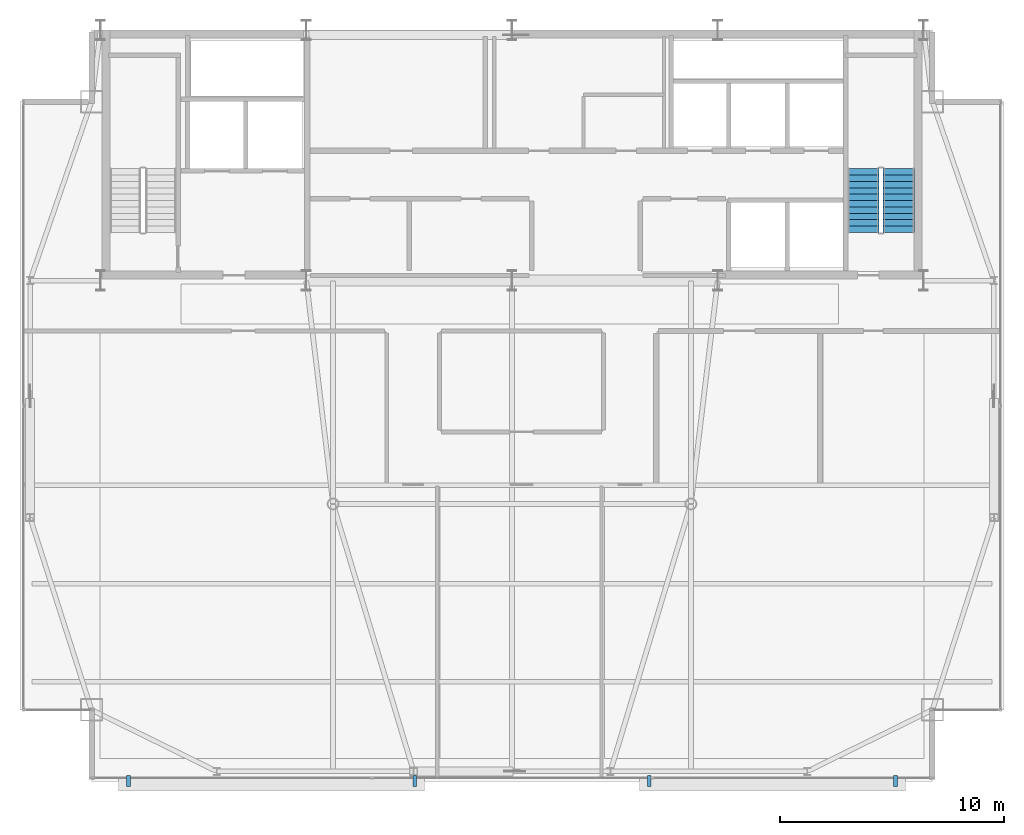
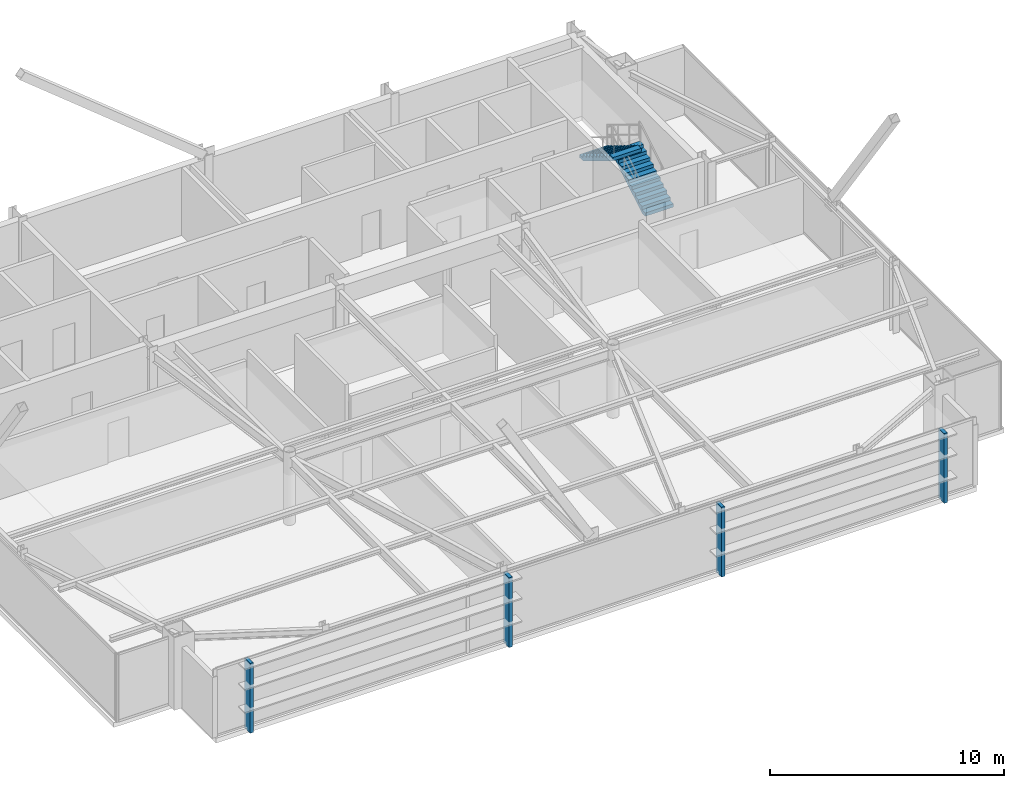
# One storey, part 23 of 24: 4 discrete accessories, 2 stair flights, 1 element without a shape of its own.
"""IFC4 building model written with IfcOpenShell, lengths in metres."""

from ifc_helpers import new_model, si_unit, direction, frame, origin, origin_2d, place, context, subcontext, project, spatial, polyline, rectangle, outline, extrude, source, transform, mapped, material, layer, layer_set, type_object, type_shapes, element, aggregate, save


model = new_model("IFC4")

# Units and contexts
model_context = context("Model", 3, precision=1e-05, world=origin(), true_north=direction((0.0, 1.0)))
body_context = subcontext(model_context, "Body", "Model", "MODEL_VIEW")
ifc_project = project(units=[si_unit("LENGTHUNIT", "METRE"), si_unit("AREAUNIT", "SQUARE_METRE"), si_unit("VOLUMEUNIT", "CUBIC_METRE"), si_unit("PLANEANGLEUNIT", "RADIAN"), si_unit("MASSUNIT", "GRAM", prefix="KILO")], contexts=[model_context])

# Site, building, storey
site_placement = place(None, origin())
site = spatial("IfcSite", under=ifc_project, at=site_placement, CompositionType="ELEMENT")
building_placement = place(site_placement, origin())
building = spatial("IfcBuilding", under=site, at=building_placement, Name="Varnel Quay Broadcast Tower", CompositionType="ELEMENT")
storey_placement = place(building_placement, frame((0.0, 0.0, 277.39990234375)))
storey = spatial("IfcBuildingStorey", under=building, at=storey_placement, Name="L69", CompositionType="ELEMENT", Elevation=277.39990234375)

# Stair, stair flights
ifc_material_1 = material(Name="Precast Structural Concrete C40/50", Category="concrete")
stair_type = type_object("IfcStairType", Name="Stair_ST-02", PredefinedType="HALF_TURN_STAIR", material=ifc_material_1)
stair_placement = place(storey_placement, origin())
stair = element("IfcStair", 1, at=stair_placement, inside=storey, type_object=stair_type, Name="L69 East Core Exit Stair 2", PredefinedType="HALF_TURN_STAIR")
stair_flight_type = type_object("IfcStairFlightType", Name="Flight_ST-02", PredefinedType="STRAIGHT", material=ifc_material_1)
stair_flight_1_placement = place(storey_placement, frame((51.300048828125, 37.75, 0.0), z_axis=(0.0, 0.0, 1.0), x_axis=(0.0, 1.0, 0.0)))
stair_flight_1 = element("IfcStairFlight", 2, at=stair_flight_1_placement, type_object=stair_flight_type, Name="ST-02 flight 1", NumberOfRisers=11, NumberOfTreads=10, PredefinedType="STRAIGHT", RiserHeight=0.172727273, TreadLength=0.285, context=body_context, shape_type="SweptSolid", body=[
    extrude(outline(polyline([(0.0, 0.0), (0.0, 0.172607421875), (0.284912109375, 0.172607421875), (0.284912109375, 0.345458984375), (0.570068359375, 0.345458984375), (0.570068359375, 0.51806640625), (0.85498046875, 0.51806640625), (0.85498046875, 0.69091796875), (1.139892578125, 0.69091796875), (1.139892578125, 0.863525390625), (1.425048828125, 0.863525390625), (1.425048828125, 1.036376953125), (1.7099609375, 1.036376953125), (1.7099609375, 1.208984375), (1.9951171875, 1.208984375), (1.9951171875, 1.3818359375), (2.280029296875, 1.3818359375), (2.280029296875, 1.554443359375), (2.56494140625, 1.554443359375), (2.56494140625, 1.727294921875), (2.85009765625, 1.727294921875), (2.85009765625, 1.89990234375), (2.85009765625, 1.552001953125), (0.289306640625, 0.0), (0.0, 0.0)])), frame((0.0, 0.699951171875, 0.0), z_axis=(0.0, -1.0, 0.0), x_axis=(1.0, 0.0, 0.0)), (0.0, 0.0, 1.0), 1.39990234375),
])
stair_flight_2_placement = place(storey_placement, frame((49.699951171875, 40.60009765625, 1.900146484375), z_axis=(0.0, 0.0, 1.0), x_axis=(0.0, -1.0, 0.0)))
stair_flight_2 = element("IfcStairFlight", 3, at=stair_flight_2_placement, type_object=stair_flight_type, Name="ST-02 flight 2", NumberOfRisers=11, NumberOfTreads=10, PredefinedType="STRAIGHT", RiserHeight=0.172727273, TreadLength=0.285, context=body_context, shape_type="SweptSolid", body=[
    extrude(outline(polyline([(0.0, 0.0), (0.0, 0.172607421875), (0.284912109375, 0.172607421875), (0.284912109375, 0.345458984375), (0.570068359375, 0.345458984375), (0.570068359375, 0.51806640625), (0.85498046875, 0.51806640625), (0.85498046875, 0.69091796875), (1.139892578125, 0.69091796875), (1.139892578125, 0.863525390625), (1.425048828125, 0.863525390625), (1.425048828125, 1.036376953125), (1.7099609375, 1.036376953125), (1.7099609375, 1.208984375), (1.9951171875, 1.208984375), (1.9951171875, 1.3818359375), (2.280029296875, 1.3818359375), (2.280029296875, 1.554443359375), (2.56494140625, 1.554443359375), (2.56494140625, 1.727294921875), (2.85009765625, 1.727294921875), (2.85009765625, 1.89990234375), (2.85009765625, 1.552001953125), (0.289306640625, 0.0), (0.0, 0.0)])), frame((0.0, 0.699951171875, 0.0), z_axis=(0.0, -1.0, 0.0), x_axis=(1.0, 0.0, 0.0)), (0.0, 0.0, 1.0), 1.39990234375),
])
aggregate(stair, [stair_flight_1, stair_flight_2])

# Discrete accessories
ifc_material_2 = material(Name="Anodised Bronze Aluminium 6063-T6", Category="aluminium")
ifc_layer = layer(ifc_material_2, 0.47998046875, Name="Anodised Bronze Aluminium 6063-T6")
ifc_layer_set = layer_set([ifc_layer], Name="Anodised Bronze Aluminium 6063-T6")
discrete_accessory_type = type_object("IfcDiscreteAccessoryType", Name="Acc_FacadeBracket", PredefinedType="BRACKET", material=ifc_layer_set)
shared_shape = source(origin(), body_context, "Body", "SweptSolid", [
    extrude(rectangle(XDim=0.159912109375, YDim=0.47998046875, at=origin_2d()), origin(), (0.0, 0.0, 1.0), 3.64990234375),
])
type_shapes(discrete_accessory_type, [shared_shape])
for number, where, z_axis, x_axis, name in (
    (4, (16.85009765625, 13.219970703125, -0.14990234375), (0.0, 0.0, 1.0), (1.0, 0.0, 0.0), "L69 Lobe 1 Louvre Support Bracket 1"),
    (5, (29.64501953125, 13.219970703125, -0.14990234375), (0.0, 0.0, 1.0), (1.0, 0.0, 0.0), "L69 Lobe 1 Louvre Support Bracket 2"),
    (6, (40.14501953125, 13.219970703125, -0.14990234375), (0.0, 0.0, 1.0), (1.0, 0.0, 0.0), "L69 Lobe 2 Louvre Support Bracket 1"),
    (7, (51.14990234375, 13.219970703125, -0.14990234375), (0.0, 0.0, 1.0), (1.0, 0.0, 0.0), "L69 Lobe 2 Louvre Support Bracket 2"),
):
    element("IfcDiscreteAccessory", number, at=place(storey_placement, frame(where, z_axis=z_axis, x_axis=x_axis)), inside=storey, type_object=discrete_accessory_type, Name=name, PredefinedType="BRACKET", context=body_context, shape_type="MappedRepresentation", body=[
        mapped(shared_shape, transform((0.0, 0.0, 0.0), x_axis=(1.0, 0.0, 0.0), y_axis=(0.0, 1.0, 0.0), z_axis=(0.0, 0.0, 1.0), scale=1.0)),
    ])

save(model, "model.ifc")
